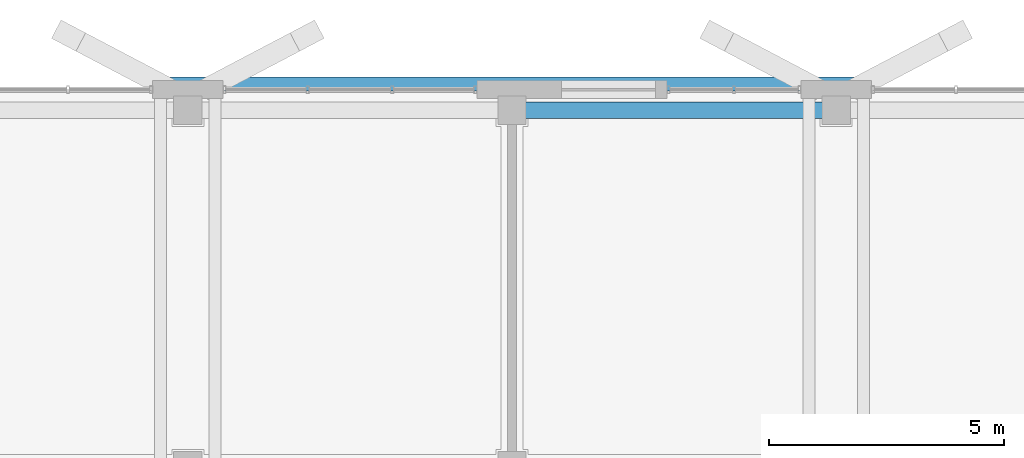
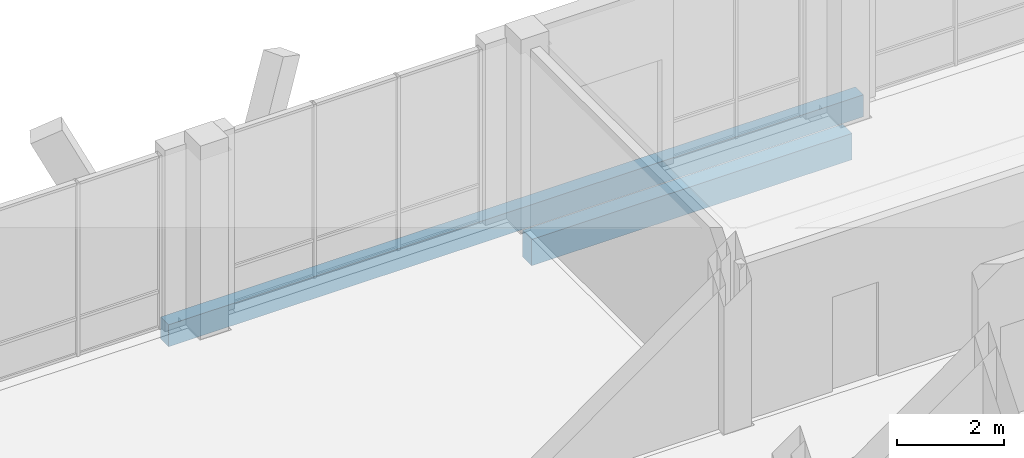
# One storey, part 109 of 233: 2 beams.
"""IFC4 building model written with IfcOpenShell, lengths in metres."""

from ifc_helpers import new_model, si_unit, direction, frame, origin, origin_2d, place, context, subcontext, project, spatial, rectangle, extrude, material, material_profile, profile_set, type_object, element, save


model = new_model("IFC4")

# Units and contexts
model_context = context("Model", 3, precision=1e-05, world=origin(), true_north=direction((0.0, 1.0)))
body_context = subcontext(model_context, "Body", "Model", "MODEL_VIEW")
ifc_project = project(units=[si_unit("LENGTHUNIT", "METRE"), si_unit("AREAUNIT", "SQUARE_METRE"), si_unit("VOLUMEUNIT", "CUBIC_METRE"), si_unit("PLANEANGLEUNIT", "RADIAN"), si_unit("MASSUNIT", "GRAM", prefix="KILO")], contexts=[model_context])

# Site, building, storey
site_placement = place(None, origin())
site = spatial("IfcSite", under=ifc_project, at=site_placement, CompositionType="ELEMENT")
building_placement = place(site_placement, origin())
building = spatial("IfcBuilding", under=site, at=building_placement, Name="Zavelmont Quarter", CompositionType="ELEMENT")
storey_placement = place(building_placement, origin())
storey = spatial("IfcBuildingStorey", under=building, at=storey_placement, Name="L00", CompositionType="ELEMENT", Elevation=0.0)

# Beams
ifc_material = material(Name="Concrete C35/45", Category="concrete")
ifc_material_profile_1 = material_profile(ifc_material, rectangle(XDim=0.35009765625, YDim=0.60009765625, at=origin_2d()), Name="RC350X600")
ifc_profile_set_1 = profile_set([ifc_material_profile_1], Name="Concrete C35/45")
beam_type_1 = type_object("IfcBeamType", Name="BM01", PredefinedType="SPANDREL", material=ifc_profile_set_1)
beam_1_placement = place(storey_placement, frame((27.60009765625, 115.56005859375, -0.6201171875), z_axis=(1.0, 0.0, 0.0), x_axis=(0.0, 1.0, 0.0)))
element("IfcBeam", 1, at=beam_1_placement, inside=storey, type_object=beam_type_1, Name="L00 beam BM01 5/S to 6/S", PredefinedType="SPANDREL", context=body_context, shape_type="SweptSolid", body=[
    extrude(rectangle(XDim=0.35009765625, YDim=0.60009765625, at=origin_2d()), origin(), (0.0, 0.0, 1.0), 6.89990234375),
])
ifc_material_profile_2 = material_profile(ifc_material, rectangle(XDim=0.300048828125, YDim=0.5, at=origin_2d()), Name="RC300X500")
ifc_profile_set_2 = profile_set([ifc_material_profile_2], Name="Concrete C35/45")
beam_type_2 = type_object("IfcBeamType", Name="BM03", PredefinedType="BEAM", material=ifc_profile_set_2)
beam_2_placement = place(storey_placement, frame((20.1201171875, 116.1201171875, -0.25), z_axis=(1.0, 0.0, 0.0), x_axis=(0.0, 1.0, 0.0)))
element("IfcBeam", 2, at=beam_2_placement, inside=storey, type_object=beam_type_2, Name="L00 beam BM03 4/S to 6/S", PredefinedType="BEAM", context=body_context, shape_type="SweptSolid", body=[
    extrude(rectangle(XDim=0.300048828125, YDim=0.5, at=origin_2d()), origin(), (0.0, 0.0, 1.0), 14.9599609375),
])

save(model, "model.ifc")
